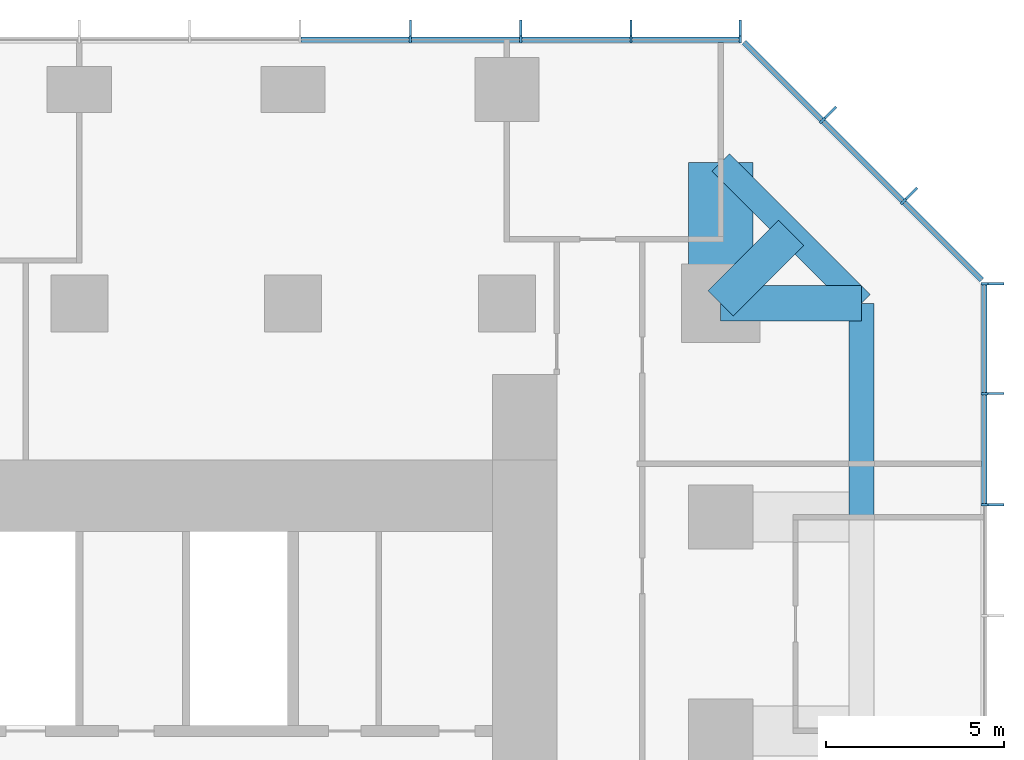
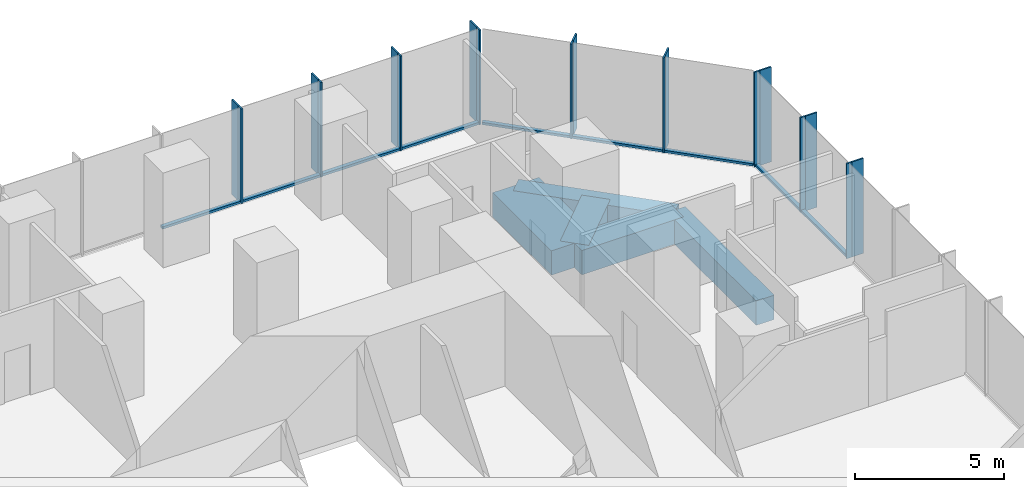
# One storey, part 6 of 11: 27 members, 5 beams, 3 elements without a shape of their own.
"""IFC4 building model written with IfcOpenShell, lengths in metres."""

from ifc_helpers import new_model, si_unit, direction, frame, origin, origin_2d, place, context, subcontext, project, spatial, rectangle, extrude, material, layer, layer_set, material_profile, profile_set, type_object, element, aggregate, save


model = new_model("IFC4")

# Units and contexts
model_context = context("Model", 3, precision=1e-05, world=origin(), true_north=direction((0.0, 1.0)))
body_context = subcontext(model_context, "Body", "Model", "MODEL_VIEW")
ifc_project = project(units=[si_unit("LENGTHUNIT", "METRE"), si_unit("AREAUNIT", "SQUARE_METRE"), si_unit("VOLUMEUNIT", "CUBIC_METRE"), si_unit("PLANEANGLEUNIT", "RADIAN"), si_unit("MASSUNIT", "GRAM", prefix="KILO")], contexts=[model_context])

# Site, building, storey
site_placement = place(None, origin())
site = spatial("IfcSite", under=ifc_project, at=site_placement, CompositionType="ELEMENT")
building_placement = place(site_placement, origin())
building = spatial("IfcBuilding", under=site, at=building_placement, Name="Highveld Stack Headquarters", CompositionType="ELEMENT")
storey_placement = place(building_placement, frame((0.0, 0.0, 144.5)))
storey = spatial("IfcBuildingStorey", under=building, at=storey_placement, Name="L35", CompositionType="ELEMENT", Elevation=144.5)

# Beams
ifc_material_1 = material(Name="Concrete C60/75", Category="concrete")
ifc_material_profile_1 = material_profile(ifc_material_1, rectangle(XDim=1.0, YDim=1.0, at=origin_2d()), Name="RC 1000x1000")
ifc_profile_set_1 = profile_set([ifc_material_profile_1], Name="Concrete C60/75")
beam_type_1 = type_object("IfcBeamType", Name="CANTILEVER RIB RC 1000x1000", PredefinedType="USERDEFINED", material=ifc_profile_set_1)
beam_1_placement = place(storey_placement, frame((24.0, 18.0, -0.75), z_axis=(1.0, 0.0, 0.0), x_axis=(0.0, 1.0, 0.0)))
element("IfcBeam", 1, at=beam_1_placement, inside=storey, type_object=beam_type_1, Name="Cantilever rib 10/H L35", ObjectType="CANTILEVER RIB", PredefinedType="USERDEFINED", context=body_context, shape_type="SweptSolid", body=[
    extrude(rectangle(XDim=1.0, YDim=1.0, at=origin_2d()), origin(), (0.0, 0.0, 1.0), 3.949951171875),
])
beam_2_placement = place(storey_placement, frame((24.0, 18.0, -0.75), z_axis=(0.707106781187, 0.707106781187, 0.0), x_axis=(-0.707106781187, 0.707106781187, 0.0)))
element("IfcBeam", 2, at=beam_2_placement, inside=storey, type_object=beam_type_1, Name="Cantilever rib 10/H L35", ObjectType="CANTILEVER RIB", PredefinedType="USERDEFINED", context=body_context, shape_type="SweptSolid", body=[
    extrude(rectangle(XDim=1.0, YDim=1.0, at=origin_2d()), origin(), (0.0, 0.0, 1.0), 2.793212890625),
])
ifc_material_2 = material(Name="Concrete C60/75", Category="concrete")
ifc_material_profile_2 = material_profile(ifc_material_2, rectangle(XDim=1.800048828125, YDim=1.0, at=origin_2d()), Name="RC 1800x1000")
ifc_profile_set_2 = profile_set([ifc_material_profile_2], Name="Concrete C60/75")
beam_type_2 = type_object("IfcBeamType", Name="CANTILEVER RIB RC 1800x1000", PredefinedType="USERDEFINED", material=ifc_profile_set_2)
beam_3_placement = place(storey_placement, frame((24.0, 18.0, -0.75), z_axis=(0.0, 1.0, 0.0), x_axis=(-1.0, 0.0, 0.0)))
element("IfcBeam", 3, at=beam_3_placement, inside=storey, type_object=beam_type_2, Name="Cantilever rib 10/H L35", ObjectType="CANTILEVER RIB", PredefinedType="USERDEFINED", context=body_context, shape_type="SweptSolid", body=[
    extrude(rectangle(XDim=1.800048828125, YDim=1.0, at=origin_2d()), origin(), (0.0, 0.0, 1.0), 3.949951171875),
])

# Curtain wall, members
ifc_material_3 = material(Name="Aluminium bronze anodised", Category="aluminium")
ifc_layer_1 = layer(ifc_material_3, 0.199951171875)
ifc_layer_set_1 = layer_set([ifc_layer_1], Name="Aluminium bronze anodised")
curtain_wall_type_1 = type_object("IfcCurtainWallType", Name="CW1 TOWER UNITISED CURTAIN WALL", PredefinedType="NOTDEFINED", material=ifc_layer_set_1)
curtain_wall_1_placement = place(storey_placement, origin())
curtain_wall_1 = element("IfcCurtainWall", 4, at=curtain_wall_1_placement, inside=storey, type_object=curtain_wall_type_1, Name="Curtain wall CW1 L35 E", PredefinedType="NOTDEFINED")
ifc_material_4 = material(Name="Aluminium bronze anodised", Category="aluminium")
ifc_material_profile_3 = material_profile(ifc_material_4, rectangle(XDim=0.449951171875, YDim=0.06005859375, at=origin_2d()), Name="FIN 450x60")
ifc_profile_set_3 = profile_set([ifc_material_profile_3], Name="Aluminium bronze anodised")
member_type_1 = type_object("IfcMemberType", Name="CW1 BRONZE FIN 450x60", PredefinedType="USERDEFINED", material=ifc_profile_set_3)
member_1_placement = place(storey_placement, frame((31.72509765625, 12.347900390625, 0.0), z_axis=(0.0, 0.0, 1.0), x_axis=(-1.0, 0.0, 0.0)))
member_1 = element("IfcMember", 5, at=member_1_placement, type_object=member_type_1, Name="CW1 fin L35 9", ObjectType="FIN", PredefinedType="USERDEFINED", context=body_context, shape_type="SweptSolid", body=[
    extrude(rectangle(XDim=0.449951171875, YDim=0.06005859375, at=origin_2d()), origin(), (0.0, 0.0, 1.0), 3.89990234375),
])
member_2_placement = place(storey_placement, frame((31.72509765625, 15.4638671875, 0.0), z_axis=(0.0, 0.0, 1.0), x_axis=(-1.0, 0.0, 0.0)))
member_2 = element("IfcMember", 6, at=member_2_placement, type_object=member_type_1, Name="CW1 fin L35 10", ObjectType="FIN", PredefinedType="USERDEFINED", context=body_context, shape_type="SweptSolid", body=[
    extrude(rectangle(XDim=0.449951171875, YDim=0.06005859375, at=origin_2d()), origin(), (0.0, 0.0, 1.0), 3.89990234375),
])
member_3_placement = place(storey_placement, frame((31.72509765625, 18.54736328125, 0.0), z_axis=(0.0, 0.0, 1.0), x_axis=(-1.0, 0.0, 0.0)))
member_3 = element("IfcMember", 7, at=member_3_placement, type_object=member_type_1, Name="CW1 fin L35 11", ObjectType="FIN", PredefinedType="USERDEFINED", context=body_context, shape_type="SweptSolid", body=[
    extrude(rectangle(XDim=0.449951171875, YDim=0.06005859375, at=origin_2d()), origin(), (0.0, 0.0, 1.0), 3.89990234375),
])

curtain_wall_2_placement = place(storey_placement, origin())
curtain_wall_2 = element("IfcCurtainWall", 8, at=curtain_wall_2_placement, inside=storey, type_object=curtain_wall_type_1, Name="Curtain wall CW1 L35 N", PredefinedType="NOTDEFINED")
member_4_placement = place(storey_placement, frame((24.54736328125, 25.72509765625, 0.0), z_axis=(0.0, 0.0, 1.0), x_axis=(0.0, -1.0, 0.0)))
member_4 = element("IfcMember", 9, at=member_4_placement, type_object=member_type_1, Name="CW1 fin L35 1", ObjectType="FIN", PredefinedType="USERDEFINED", context=body_context, shape_type="SweptSolid", body=[
    extrude(rectangle(XDim=0.449951171875, YDim=0.06005859375, at=origin_2d()), origin(), (0.0, 0.0, 1.0), 3.89990234375),
])
member_5_placement = place(storey_placement, frame((21.483154296875, 25.72509765625, 0.0), z_axis=(0.0, 0.0, 1.0), x_axis=(0.0, -1.0, 0.0)))
member_5 = element("IfcMember", 10, at=member_5_placement, type_object=member_type_1, Name="CW1 fin L35 2", ObjectType="FIN", PredefinedType="USERDEFINED", context=body_context, shape_type="SweptSolid", body=[
    extrude(rectangle(XDim=0.449951171875, YDim=0.06005859375, at=origin_2d()), origin(), (0.0, 0.0, 1.0), 3.89990234375),
])
member_6_placement = place(storey_placement, frame((18.38671875, 25.72509765625, 0.0), z_axis=(0.0, 0.0, 1.0), x_axis=(0.0, -1.0, 0.0)))
member_6 = element("IfcMember", 11, at=member_6_placement, type_object=member_type_1, Name="CW1 fin L35 3", ObjectType="FIN", PredefinedType="USERDEFINED", context=body_context, shape_type="SweptSolid", body=[
    extrude(rectangle(XDim=0.449951171875, YDim=0.06005859375, at=origin_2d()), origin(), (0.0, 0.0, 1.0), 3.89990234375),
])
member_7_placement = place(storey_placement, frame((15.289794921875, 25.72509765625, 0.0), z_axis=(0.0, 0.0, 1.0), x_axis=(0.0, -1.0, 0.0)))
member_7 = element("IfcMember", 12, at=member_7_placement, type_object=member_type_1, Name="CW1 fin L35 4", ObjectType="FIN", PredefinedType="USERDEFINED", context=body_context, shape_type="SweptSolid", body=[
    extrude(rectangle(XDim=0.449951171875, YDim=0.06005859375, at=origin_2d()), origin(), (0.0, 0.0, 1.0), 3.89990234375),
])

# Member
ifc_material_5 = material(Name="Aluminium bronze anodised", Category="aluminium")
ifc_material_profile_4 = material_profile(ifc_material_5, rectangle(XDim=0.199951171875, YDim=0.06494140625, at=origin_2d()), Name="CW1 MULLION 65x200")
ifc_profile_set_4 = profile_set([ifc_material_profile_4], Name="Aluminium bronze anodised")
member_type_2 = type_object("IfcMemberType", Name="CW1 MULLION 65x200", PredefinedType="MULLION", material=ifc_profile_set_4)
member_8_placement = place(storey_placement, frame((31.39990234375, 12.347900390625, 0.0), z_axis=(0.0, 0.0, 1.0), x_axis=(-1.0, 0.0, 0.0)))
member_8 = element("IfcMember", 13, at=member_8_placement, type_object=member_type_2, Name="CW1 mullion L35 9", PredefinedType="MULLION", context=body_context, shape_type="SweptSolid", body=[
    extrude(rectangle(XDim=0.199951171875, YDim=0.06494140625, at=origin_2d()), origin(), (0.0, 0.0, 1.0), 3.89990234375),
])

member_9_placement = place(storey_placement, frame((31.39990234375, 15.4638671875, 0.0), z_axis=(0.0, 0.0, 1.0), x_axis=(-1.0, 0.0, 0.0)))
member_9 = element("IfcMember", 14, at=member_9_placement, type_object=member_type_2, Name="CW1 mullion L35 10", PredefinedType="MULLION", context=body_context, shape_type="SweptSolid", body=[
    extrude(rectangle(XDim=0.199951171875, YDim=0.06494140625, at=origin_2d()), origin(), (0.0, 0.0, 1.0), 3.89990234375),
])

member_10_placement = place(storey_placement, frame((31.39990234375, 18.54736328125, 0.0), z_axis=(0.0, 0.0, 1.0), x_axis=(-1.0, 0.0, 0.0)))
member_10 = element("IfcMember", 15, at=member_10_placement, type_object=member_type_2, Name="CW1 mullion L35 11", PredefinedType="MULLION", context=body_context, shape_type="SweptSolid", body=[
    extrude(rectangle(XDim=0.199951171875, YDim=0.06494140625, at=origin_2d()), origin(), (0.0, 0.0, 1.0), 3.89990234375),
])

member_11_placement = place(storey_placement, frame((24.54736328125, 25.39990234375, 0.0), z_axis=(0.0, 0.0, 1.0), x_axis=(0.0, -1.0, 0.0)))
member_11 = element("IfcMember", 16, at=member_11_placement, type_object=member_type_2, Name="CW1 mullion L35 1", PredefinedType="MULLION", context=body_context, shape_type="SweptSolid", body=[
    extrude(rectangle(XDim=0.199951171875, YDim=0.06494140625, at=origin_2d()), origin(), (0.0, 0.0, 1.0), 3.89990234375),
])

member_12_placement = place(storey_placement, frame((21.483154296875, 25.39990234375, 0.0), z_axis=(0.0, 0.0, 1.0), x_axis=(0.0, -1.0, 0.0)))
member_12 = element("IfcMember", 17, at=member_12_placement, type_object=member_type_2, Name="CW1 mullion L35 2", PredefinedType="MULLION", context=body_context, shape_type="SweptSolid", body=[
    extrude(rectangle(XDim=0.199951171875, YDim=0.06494140625, at=origin_2d()), origin(), (0.0, 0.0, 1.0), 3.89990234375),
])

member_13_placement = place(storey_placement, frame((18.38671875, 25.39990234375, 0.0), z_axis=(0.0, 0.0, 1.0), x_axis=(0.0, -1.0, 0.0)))
member_13 = element("IfcMember", 18, at=member_13_placement, type_object=member_type_2, Name="CW1 mullion L35 3", PredefinedType="MULLION", context=body_context, shape_type="SweptSolid", body=[
    extrude(rectangle(XDim=0.199951171875, YDim=0.06494140625, at=origin_2d()), origin(), (0.0, 0.0, 1.0), 3.89990234375),
])

member_14_placement = place(storey_placement, frame((15.289794921875, 25.39990234375, 0.0), z_axis=(0.0, 0.0, 1.0), x_axis=(0.0, -1.0, 0.0)))
member_14 = element("IfcMember", 19, at=member_14_placement, type_object=member_type_2, Name="CW1 mullion L35 4", PredefinedType="MULLION", context=body_context, shape_type="SweptSolid", body=[
    extrude(rectangle(XDim=0.199951171875, YDim=0.06494140625, at=origin_2d()), origin(), (0.0, 0.0, 1.0), 3.89990234375),
])

ifc_material_6 = material(Name="Aluminium bronze anodised", Category="aluminium")
ifc_material_profile_5 = material_profile(ifc_material_6, rectangle(XDim=0.14990234375, YDim=0.10009765625, at=origin_2d()), Name="CW1 TRANSOM 150x100")
ifc_profile_set_5 = profile_set([ifc_material_profile_5], Name="Aluminium bronze anodised")
member_type_3 = type_object("IfcMemberType", Name="CW1 STACK TRANSOM 150x100", PredefinedType="USERDEFINED", material=ifc_profile_set_5)
member_15_placement = place(storey_placement, frame((31.39990234375, 12.38037109375, 0.050048828125), z_axis=(0.0, 1.0, 0.0), x_axis=(-1.0, 0.0, 0.0)))
member_15 = element("IfcMember", 20, at=member_15_placement, type_object=member_type_3, Name="CW1 transom L35 9.1", ObjectType="TRANSOM", PredefinedType="USERDEFINED", context=body_context, shape_type="SweptSolid", body=[
    extrude(rectangle(XDim=0.14990234375, YDim=0.10009765625, at=origin_2d()), origin(), (0.0, 0.0, 1.0), 3.051025390625),
])

member_16_placement = place(storey_placement, frame((31.39990234375, 15.496337890625, 0.050048828125), z_axis=(0.0, 1.0, 0.0), x_axis=(-1.0, 0.0, 0.0)))
member_16 = element("IfcMember", 21, at=member_16_placement, type_object=member_type_3, Name="CW1 transom L35 10.1", ObjectType="TRANSOM", PredefinedType="USERDEFINED", context=body_context, shape_type="SweptSolid", body=[
    extrude(rectangle(XDim=0.14990234375, YDim=0.10009765625, at=origin_2d()), origin(), (0.0, 0.0, 1.0), 3.0185546875),
])

aggregate(curtain_wall_1, [member_8, member_1, member_9, member_2, member_10, member_3, member_15, member_16])

member_17_placement = place(storey_placement, frame((24.514892578125, 25.39990234375, 0.050048828125), z_axis=(-1.0, 0.0, 0.0), x_axis=(0.0, -1.0, 0.0)))
member_17 = element("IfcMember", 22, at=member_17_placement, type_object=member_type_3, Name="CW1 transom L35 1.1", ObjectType="TRANSOM", PredefinedType="USERDEFINED", context=body_context, shape_type="SweptSolid", body=[
    extrude(rectangle(XDim=0.14990234375, YDim=0.10009765625, at=origin_2d()), origin(), (0.0, 0.0, 1.0), 2.999267578125),
])

member_18_placement = place(storey_placement, frame((21.45068359375, 25.39990234375, 0.050048828125), z_axis=(-1.0, 0.0, 0.0), x_axis=(0.0, -1.0, 0.0)))
member_18 = element("IfcMember", 23, at=member_18_placement, type_object=member_type_3, Name="CW1 transom L35 2.1", ObjectType="TRANSOM", PredefinedType="USERDEFINED", context=body_context, shape_type="SweptSolid", body=[
    extrude(rectangle(XDim=0.14990234375, YDim=0.10009765625, at=origin_2d()), origin(), (0.0, 0.0, 1.0), 3.031494140625),
])

member_19_placement = place(storey_placement, frame((18.35400390625, 25.39990234375, 0.050048828125), z_axis=(-1.0, 0.0, 0.0), x_axis=(0.0, -1.0, 0.0)))
member_19 = element("IfcMember", 24, at=member_19_placement, type_object=member_type_3, Name="CW1 transom L35 3.1", ObjectType="TRANSOM", PredefinedType="USERDEFINED", context=body_context, shape_type="SweptSolid", body=[
    extrude(rectangle(XDim=0.14990234375, YDim=0.10009765625, at=origin_2d()), origin(), (0.0, 0.0, 1.0), 3.031494140625),
])

member_20_placement = place(storey_placement, frame((15.25732421875, 25.39990234375, 0.050048828125), z_axis=(-1.0, 0.0, 0.0), x_axis=(0.0, -1.0, 0.0)))
member_20 = element("IfcMember", 25, at=member_20_placement, type_object=member_type_3, Name="CW1 transom L35 4.1", ObjectType="TRANSOM", PredefinedType="USERDEFINED", context=body_context, shape_type="SweptSolid", body=[
    extrude(rectangle(XDim=0.14990234375, YDim=0.10009765625, at=origin_2d()), origin(), (0.0, 0.0, 1.0), 3.031494140625),
])

aggregate(curtain_wall_2, [member_11, member_4, member_12, member_5, member_13, member_6, member_14, member_7, member_17, member_18, member_19, member_20])

# Curtain wall, members
ifc_material_7 = material(Name="Aluminium bronze anodised", Category="aluminium")
ifc_layer_2 = layer(ifc_material_7, 0.199951171875)
ifc_layer_set_2 = layer_set([ifc_layer_2], Name="Aluminium bronze anodised")
curtain_wall_type_2 = type_object("IfcCurtainWallType", Name="CW2 TOWER CHAMFER UNITISED CURTAIN WALL", PredefinedType="NOTDEFINED", material=ifc_layer_set_2)
curtain_wall_3_placement = place(storey_placement, origin())
curtain_wall_3 = element("IfcCurtainWall", 26, at=curtain_wall_3_placement, inside=storey, type_object=curtain_wall_type_2, Name="Curtain wall CW2 L35 NE", PredefinedType="NOTDEFINED")
ifc_material_8 = material(Name="Aluminium bronze anodised", Category="aluminium")
ifc_material_profile_6 = material_profile(ifc_material_8, rectangle(XDim=0.449951171875, YDim=0.06005859375, at=origin_2d()), Name="FIN 450x60")
ifc_profile_set_6 = profile_set([ifc_material_profile_6], Name="Aluminium bronze anodised")
member_type_4 = type_object("IfcMemberType", Name="CW2 BRONZE FIN 450x60", PredefinedType="USERDEFINED", material=ifc_profile_set_6)
member_21_placement = place(storey_placement, frame((29.3564453125, 21.0830078125, 0.0), z_axis=(0.0, 0.0, 1.0), x_axis=(-0.707106781187, -0.707106781187, 0.0)))
member_21 = element("IfcMember", 27, at=member_21_placement, type_object=member_type_4, Name="CW2 fin L35 1", ObjectType="FIN", PredefinedType="USERDEFINED", context=body_context, shape_type="SweptSolid", body=[
    extrude(rectangle(XDim=0.449951171875, YDim=0.06005859375, at=origin_2d()), origin(), (0.0, 0.0, 1.0), 3.89990234375),
])
member_22_placement = place(storey_placement, frame((27.0830078125, 23.3564453125, 0.0), z_axis=(0.0, 0.0, 1.0), x_axis=(-0.707106781187, -0.707106781187, 0.0)))
member_22 = element("IfcMember", 28, at=member_22_placement, type_object=member_type_4, Name="CW2 fin L35 2", ObjectType="FIN", PredefinedType="USERDEFINED", context=body_context, shape_type="SweptSolid", body=[
    extrude(rectangle(XDim=0.449951171875, YDim=0.06005859375, at=origin_2d()), origin(), (0.0, 0.0, 1.0), 3.89990234375),
])
ifc_material_9 = material(Name="Aluminium bronze anodised", Category="aluminium")
ifc_material_profile_7 = material_profile(ifc_material_9, rectangle(XDim=0.199951171875, YDim=0.06494140625, at=origin_2d()), Name="CW2 MULLION 65x200")
ifc_profile_set_7 = profile_set([ifc_material_profile_7], Name="Aluminium bronze anodised")
member_type_5 = type_object("IfcMemberType", Name="CW2 MULLION 65x200", PredefinedType="MULLION", material=ifc_profile_set_7)
member_23_placement = place(storey_placement, frame((29.126708984375, 20.853271484375, 0.0), z_axis=(0.0, 0.0, 1.0), x_axis=(-0.707106781187, -0.707106781187, 0.0)))
member_23 = element("IfcMember", 29, at=member_23_placement, type_object=member_type_5, Name="CW2 mullion L35 1", PredefinedType="MULLION", context=body_context, shape_type="SweptSolid", body=[
    extrude(rectangle(XDim=0.199951171875, YDim=0.06494140625, at=origin_2d()), origin(), (0.0, 0.0, 1.0), 3.89990234375),
])
member_24_placement = place(storey_placement, frame((26.853271484375, 23.126708984375, 0.0), z_axis=(0.0, 0.0, 1.0), x_axis=(-0.707106781187, -0.707106781187, 0.0)))
member_24 = element("IfcMember", 30, at=member_24_placement, type_object=member_type_5, Name="CW2 mullion L35 2", PredefinedType="MULLION", context=body_context, shape_type="SweptSolid", body=[
    extrude(rectangle(XDim=0.199951171875, YDim=0.06494140625, at=origin_2d()), origin(), (0.0, 0.0, 1.0), 3.89990234375),
])
ifc_material_10 = material(Name="Aluminium bronze anodised", Category="aluminium")
ifc_material_profile_8 = material_profile(ifc_material_10, rectangle(XDim=0.14990234375, YDim=0.10009765625, at=origin_2d()), Name="CW2 TRANSOM 150x100")
ifc_profile_set_8 = profile_set([ifc_material_profile_8], Name="Aluminium bronze anodised")
member_type_6 = type_object("IfcMemberType", Name="CW2 STACK TRANSOM 150x100", PredefinedType="USERDEFINED", material=ifc_profile_set_8)
member_25_placement = place(storey_placement, frame((31.329345703125, 18.650634765625, 0.050048828125), z_axis=(-0.707106781187, 0.707106781187, 0.0), x_axis=(-0.707106781187, -0.707106781187, 0.0)))
member_25 = element("IfcMember", 31, at=member_25_placement, type_object=member_type_6, Name="CW2 transom L35 1.1", ObjectType="TRANSOM", PredefinedType="USERDEFINED", context=body_context, shape_type="SweptSolid", body=[
    extrude(rectangle(XDim=0.14990234375, YDim=0.10009765625, at=origin_2d()), origin(), (0.0, 0.0, 1.0), 3.08251953125),
])
member_26_placement = place(storey_placement, frame((29.103759765625, 20.876220703125, 0.050048828125), z_axis=(-0.707106781187, 0.707106781187, 0.0), x_axis=(-0.707106781187, -0.707106781187, 0.0)))
member_26 = element("IfcMember", 32, at=member_26_placement, type_object=member_type_6, Name="CW2 transom L35 2.1", ObjectType="TRANSOM", PredefinedType="USERDEFINED", context=body_context, shape_type="SweptSolid", body=[
    extrude(rectangle(XDim=0.14990234375, YDim=0.10009765625, at=origin_2d()), origin(), (0.0, 0.0, 1.0), 3.150146484375),
])
member_27_placement = place(storey_placement, frame((26.830322265625, 23.149658203125, 0.050048828125), z_axis=(-0.707106781187, 0.707106781187, 0.0), x_axis=(-0.707106781187, -0.707106781187, 0.0)))
member_27 = element("IfcMember", 33, at=member_27_placement, type_object=member_type_6, Name="CW2 transom L35 3.1", ObjectType="TRANSOM", PredefinedType="USERDEFINED", context=body_context, shape_type="SweptSolid", body=[
    extrude(rectangle(XDim=0.14990234375, YDim=0.10009765625, at=origin_2d()), origin(), (0.0, 0.0, 1.0), 3.08251953125),
])
aggregate(curtain_wall_3, [member_23, member_21, member_24, member_22, member_25, member_26, member_27])

# Beams
ifc_material_11 = material(Name="Concrete C60/75", Category="concrete")
ifc_material_profile_9 = material_profile(ifc_material_11, rectangle(XDim=0.699951171875, YDim=1.0, at=origin_2d()), Name="RC 700x1000")
ifc_profile_set_9 = profile_set([ifc_material_profile_9], Name="Concrete C60/75")
beam_type_3 = type_object("IfcBeamType", Name="RIB TIP BEAM RC 700x1000", PredefinedType="SPANDREL", material=ifc_profile_set_9)
beam_4_placement = place(storey_placement, frame((27.949951171875, 12.0, -0.75), z_axis=(0.0, 1.0, 0.0), x_axis=(-1.0, 0.0, 0.0)))
element("IfcBeam", 34, at=beam_4_placement, inside=storey, type_object=beam_type_3, Name="Rib tip beam 10/G to 10/H L35", PredefinedType="SPANDREL", context=body_context, shape_type="SweptSolid", body=[
    extrude(rectangle(XDim=0.699951171875, YDim=1.0, at=origin_2d()), origin(), (0.0, 0.0, 1.0), 6.0),
])
beam_5_placement = place(storey_placement, frame((27.949951171875, 18.0, -0.75), z_axis=(-0.707106781187, 0.707106781187, 0.0), x_axis=(-0.707106781187, -0.707106781187, 0.0)))
element("IfcBeam", 35, at=beam_5_placement, inside=storey, type_object=beam_type_3, Name="Rib tip beam 10/H corner L35", PredefinedType="SPANDREL", context=body_context, shape_type="SweptSolid", body=[
    extrude(rectangle(XDim=0.699951171875, YDim=1.0, at=origin_2d()), origin(), (0.0, 0.0, 1.0), 5.586181640625),
])

save(model, "model.ifc")
